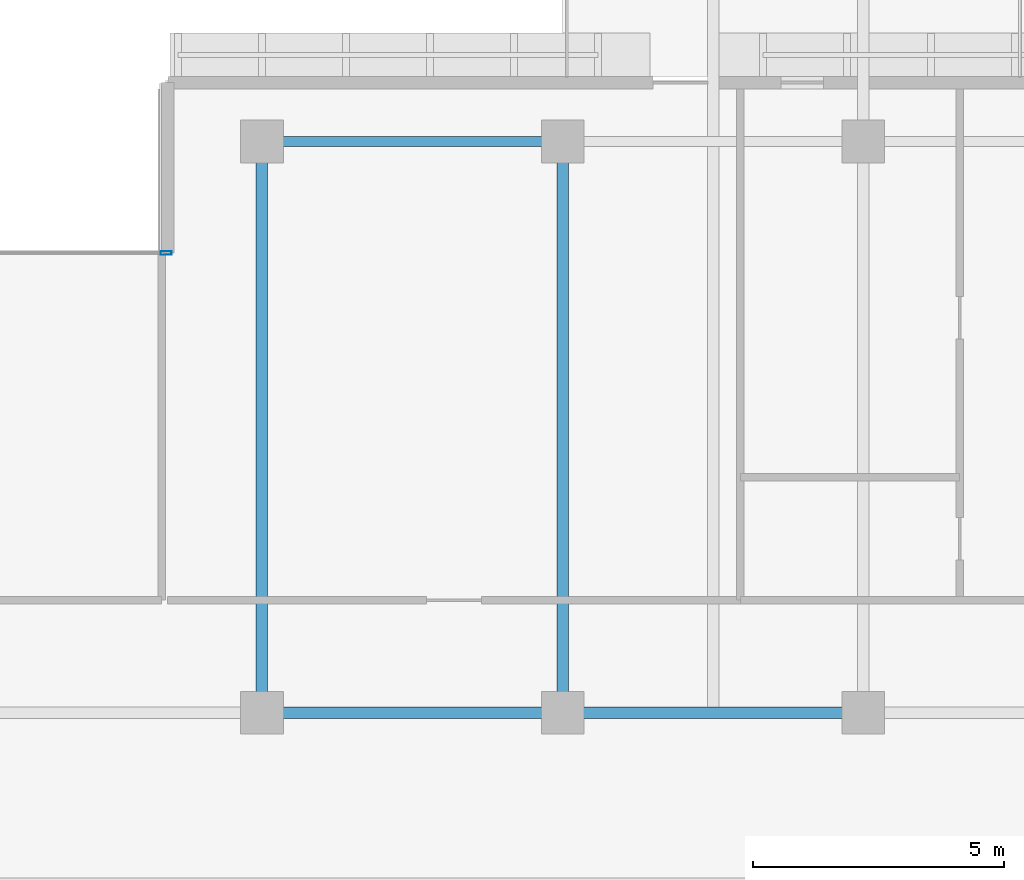
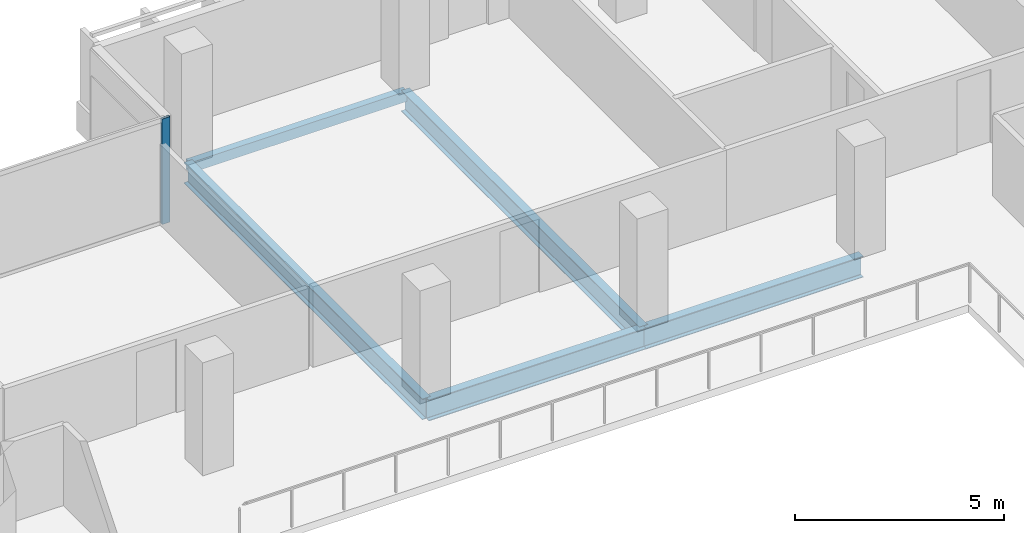
# One storey, part 7 of 19: 5 beams, 1 member, 1 element without a shape of its own.
"""IFC4 building model written with IfcOpenShell, lengths in metres."""

from ifc_helpers import new_model, si_unit, direction, frame, origin, origin_2d, place, context, subcontext, project, spatial, hollow_rectangle, i_section, extrude, material, layer, layer_set, material_profile, profile_set, type_object, element, aggregate, save


model = new_model("IFC4")

# Units and contexts
model_context = context("Model", 3, precision=1e-05, world=origin(), true_north=direction((0.0, 1.0)))
body_context = subcontext(model_context, "Body", "Model", "MODEL_VIEW")
ifc_project = project(units=[si_unit("LENGTHUNIT", "METRE"), si_unit("AREAUNIT", "SQUARE_METRE"), si_unit("VOLUMEUNIT", "CUBIC_METRE"), si_unit("PLANEANGLEUNIT", "RADIAN"), si_unit("MASSUNIT", "GRAM", prefix="KILO")], contexts=[model_context])

# Site, building, storey
site_placement = place(None, origin())
site = spatial("IfcSite", under=ifc_project, at=site_placement, CompositionType="ELEMENT")
building_placement = place(site_placement, origin())
building = spatial("IfcBuilding", under=site, at=building_placement, Name="Tanjung Sevakor Pilgrim Tower", CompositionType="ELEMENT")
storey_placement = place(building_placement, frame((0.0, 0.0, 155.10009765625)))
storey = spatial("IfcBuildingStorey", under=building, at=storey_placement, Name="L43", CompositionType="ELEMENT", Elevation=155.10009765625)

# Beams
ifc_material_1 = material(Name="Steel S355J2", Category="steel")
ifc_material_profile_1 = material_profile(ifc_material_1, i_section(OverallWidth=0.230224609375, OverallDepth=0.6171875, WebThickness=0.01318359375, FlangeThickness=0.022216796875, FilletRadius=0.0126953125, at=origin_2d()))
ifc_profile_set_1 = profile_set([ifc_material_profile_1], Name="Steel S355J2")
beam_type_1 = type_object("IfcBeamType", Name="BM-B-G3-UB_610x229x140", PredefinedType="BEAM", material=ifc_profile_set_1)
for number, where, z_axis, x_axis, name in (
    (1, (54.0, 42.60009765625, -0.52880859375), (1.0, 0.0, 0.0), (0.0, 1.0, 0.0), "L43 Primary Floor Girder MAIN Y426-04"),
    (2, (60.0, 42.60009765625, -0.52880859375), (1.0, 0.0, 0.0), (0.0, 1.0, 0.0), "L43 Primary Floor Girder MAIN Y426-05"),
):
    element("IfcBeam", number, at=place(storey_placement, frame(where, z_axis=z_axis, x_axis=x_axis)), inside=storey, type_object=beam_type_1, Name=name, PredefinedType="BEAM", context=body_context, shape_type="SweptSolid", body=[
        extrude(i_section(OverallWidth=0.230224609375, OverallDepth=0.6171875, WebThickness=0.01318359375, FlangeThickness=0.022216796875, FilletRadius=0.0126953125, at=origin_2d()), origin(), (0.0, 0.0, 1.0), 6.0),
    ])
ifc_material_2 = material(Name="Steel S355J2", Category="steel")
ifc_material_profile_2 = material_profile(ifc_material_2, i_section(OverallWidth=0.22900390625, OverallDepth=0.6123046875, WebThickness=0.011962890625, FlangeThickness=0.01953125, FilletRadius=0.0126953125, at=origin_2d()))
ifc_profile_set_2 = profile_set([ifc_material_profile_2], Name="Steel S355J2")
beam_type_2 = type_object("IfcBeamType", Name="BM-B-G4-UB_610x229x125", PredefinedType="BEAM", material=ifc_profile_set_2)
for number, where, z_axis, x_axis, name in (
    (3, (54.0, 42.60009765625, -0.526123046875), (0.0, 1.0, 0.0), (-1.0, 0.0, 0.0), "L43 MAIN Girder 011"),
    (4, (60.0, 42.60009765625, -0.526123046875), (0.0, 1.0, 0.0), (-1.0, 0.0, 0.0), "L43 MAIN Girder 013"),
):
    element("IfcBeam", number, at=place(storey_placement, frame(where, z_axis=z_axis, x_axis=x_axis)), inside=storey, type_object=beam_type_2, Name=name, PredefinedType="BEAM", context=body_context, shape_type="SweptSolid", body=[
        extrude(i_section(OverallWidth=0.22900390625, OverallDepth=0.6123046875, WebThickness=0.011962890625, FlangeThickness=0.01953125, FilletRadius=0.0126953125, at=origin_2d()), origin(), (0.0, 0.0, 1.0), 11.39990234375),
    ])
ifc_material_3 = material(Name="Steel S355J2", Category="steel")
ifc_material_profile_3 = material_profile(ifc_material_3, hollow_rectangle(XDim=0.199951171875, YDim=0.300048828125, WallThickness=0.012451171875, at=origin_2d()))
ifc_profile_set_3 = profile_set([ifc_material_profile_3], Name="Steel S355J2")
beam_type_3 = type_object("IfcBeamType", Name="BM-B-SP3-RHS_300x200x12.5", PredefinedType="SPANDREL", material=ifc_profile_set_3)
beam_placement = place(storey_placement, frame((54.0, 54.0, -0.3701171875), z_axis=(1.0, 0.0, 0.0), x_axis=(0.0, 1.0, 0.0)))
element("IfcBeam", 5, at=beam_placement, inside=storey, type_object=beam_type_3, Name="L43 Spandrel MAIN N-08", PredefinedType="SPANDREL", context=body_context, shape_type="SweptSolid", body=[
    extrude(hollow_rectangle(XDim=0.199951171875, YDim=0.300048828125, WallThickness=0.012451171875, at=origin_2d()), origin(), (0.0, 0.0, 1.0), 6.0),
])

# Curtain wall, member
ifc_material_4 = material(Name="Aluminium 6063-T6 and Low-E Glass", Category="aluminium")
ifc_layer = layer(ifc_material_4, 0.179931640625)
ifc_layer_set = layer_set([ifc_layer], Name="CW-SYS-CLEFT")
curtain_wall_type = type_object("IfcCurtainWallType", Name="CW-SYS-CLEFT", PredefinedType="NOTDEFINED", material=ifc_layer_set)
curtain_wall_placement = place(storey_placement, origin())
curtain_wall = element("IfcCurtainWall", 6, at=curtain_wall_placement, inside=storey, type_object=curtain_wall_type, Name="L43 Curtain Wall CW-CLF-L43-10", PredefinedType="NOTDEFINED")
ifc_material_5 = material(Name="Aluminium 6063-T6", Category="aluminium")
ifc_material_profile_4 = material_profile(ifc_material_5, hollow_rectangle(XDim=0.074951171875, YDim=0.219970703125, WallThickness=0.0048828125, at=origin_2d()))
ifc_profile_set_4 = profile_set([ifc_material_profile_4], Name="Aluminium 6063-T6")
member_type = type_object("IfcMemberType", Name="TYPE-CWM-2", PredefinedType="MULLION", material=ifc_profile_set_4)
member_placement = place(storey_placement, frame((52.08740234375, 51.77490234375, 0.0), z_axis=(0.0, 0.0, 1.0), x_axis=(0.0, -1.0, 0.0)))
member = element("IfcMember", 7, at=member_placement, type_object=member_type, Name="CW-CLF mullion 1", PredefinedType="MULLION", context=body_context, shape_type="SweptSolid", body=[
    extrude(hollow_rectangle(XDim=0.074951171875, YDim=0.219970703125, WallThickness=0.0048828125, at=origin_2d()), origin(), (0.0, 0.0, 1.0), 3.079833984375),
])
aggregate(curtain_wall, [member])

save(model, "model.ifc")
